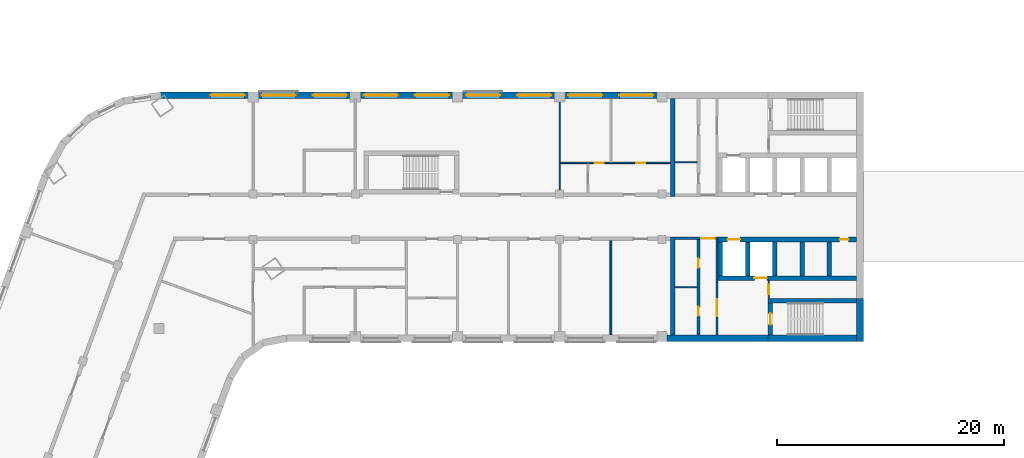
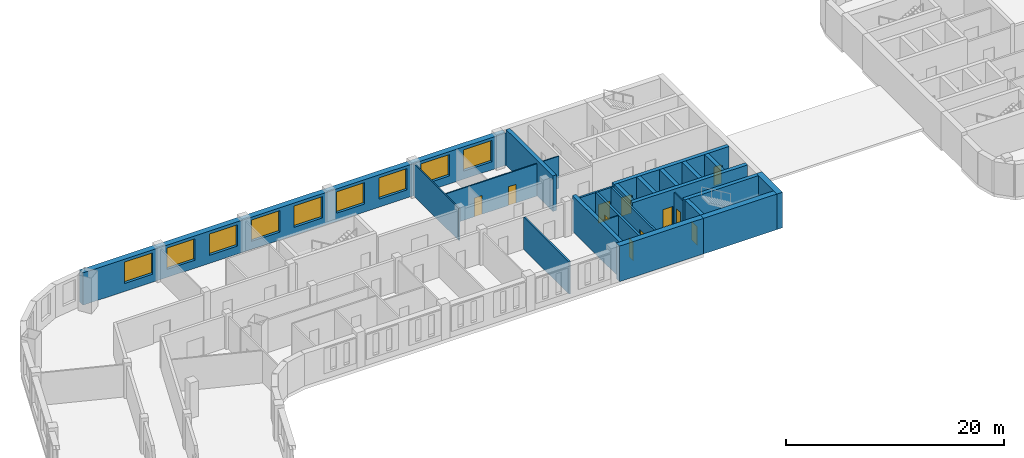
# One storey, part 5 of 12: 24 walls, 11 doors, 9 windows, 20 openings.
"""IFC4 building model written with IfcOpenShell, lengths in metres."""

from ifc_helpers import new_model, si_unit, direction, frame, frame_2d, origin, place, context, subcontext, project, spatial, rectangle, extrude, material, layer, layer_set, type_object, element, fill, save


model = new_model("IFC4")

# Units and contexts
model_context = context("Model", 3, precision=1e-05, world=origin(), true_north=direction((0.0, 1.0)))
body_context = subcontext(model_context, "Body", "Model", "MODEL_VIEW")
ifc_project = project(units=[si_unit("LENGTHUNIT", "METRE"), si_unit("AREAUNIT", "SQUARE_METRE"), si_unit("VOLUMEUNIT", "CUBIC_METRE"), si_unit("PLANEANGLEUNIT", "RADIAN"), si_unit("MASSUNIT", "GRAM", prefix="KILO")], contexts=[model_context])

# Site, building, storey
site_placement = place(None, origin())
site = spatial("IfcSite", under=ifc_project, at=site_placement, CompositionType="ELEMENT")
building_placement = place(site_placement, origin())
building = spatial("IfcBuilding", under=site, at=building_placement, Name="Skarvind Civic Tower", CompositionType="ELEMENT")
storey_placement = place(building_placement, frame((0.0, 0.0, 35.5)))
storey = spatial("IfcBuildingStorey", under=building, at=storey_placement, Name="L07", CompositionType="ELEMENT", Elevation=35.5)

# Wall
ifc_material_1 = material(Name="Acoustic gypsum board on steel studs", Category="steel")
ifc_layer_1 = layer(ifc_material_1, 0.175048828125)
ifc_layer_set_1 = layer_set([ifc_layer_1], Name="ACOUSTIC MEETING-ROOM PARTITION 175")
wall_type_1 = type_object("IfcWallType", Name="ACOUSTIC MEETING-ROOM PARTITION 175", PredefinedType="PARTITIONING", material=ifc_layer_set_1)
wall_1_placement = place(storey_placement, frame((85.75, 117.60009765625, 0.0), z_axis=(0.0, 0.0, 1.0), x_axis=(0.0, 1.0, 0.0)))
element("IfcWall", 1, at=wall_1_placement, inside=storey, type_object=wall_type_1, Name="Partition 07.029", PredefinedType="PARTITIONING", context=body_context, shape_type="SweptSolid", body=[
    extrude(rectangle(XDim=8.2998046875, YDim=0.175048828125, at=frame_2d((4.14990234375, 0.0))), origin(), (0.0, 0.0, 1.0), 3.625),
])

# Wall, opening, door
ifc_material_2 = material(Name="Fire-rated masonry partition", Category="masonry")
ifc_layer_2 = layer(ifc_material_2, 0.199951171875)
ifc_layer_set_2 = layer_set([ifc_layer_2], Name="Core enclosure wall 200")
wall_type_2 = type_object("IfcWallType", Name="Core enclosure wall 200", PredefinedType="PARTITIONING", material=ifc_layer_set_2)
wall_2_placement = place(storey_placement, frame((95.199951171875, 126.10009765625, 0.0), z_axis=(0.0, 0.0, 1.0), x_axis=(-1.0, 0.0, 0.0)))
wall_2 = element("IfcWall", 2, at=wall_2_placement, inside=storey, type_object=wall_type_2, Name="Core wall C1", PredefinedType="PARTITIONING", context=body_context, shape_type="SweptSolid", body=[
    extrude(rectangle(XDim=3.800048828125, YDim=0.199951171875, at=frame_2d((1.89990234375, 0.0))), origin(), (0.0, 0.0, 1.0), 3.625),
])
opening_1_placement = place(wall_2_placement, frame((0.300048828125, 0.0, 0.0)))
opening_1 = element("IfcOpeningElement", 3, at=opening_1_placement, cuts=wall_2, Name="Opening D-L07-C1-05", PredefinedType="OPENING", context=body_context, shape_type="SweptSolid", body=[
    extrude(rectangle(XDim=1.199951171875, YDim=2.10009765625, at=frame_2d((0.60009765625, 1.050048828125))), frame((0.0, 0.10986328125, 0.0), z_axis=(0.0, -1.0, 0.0), x_axis=(1.0, 0.0, 0.0)), (0.0, 0.0, 1.0), 0.219970703125),
])
ifc_material_3 = material(Name="Fire-rated steel door", Category="steel")
door_type_1 = type_object("IfcDoorType", Name="Core lobby door 1200", OperationType="NOTDEFINED", PredefinedType="DOOR", material=ifc_material_3)
door_1_placement = place(opening_1_placement, origin())
door_1 = element("IfcDoor", 4, at=door_1_placement, inside=storey, type_object=door_type_1, Name="Fire door", OperationType="DOUBLE_DOOR_SINGLE_SWING", OverallHeight=2.10009765625, OverallWidth=1.199951171875, PredefinedType="DOOR", context=body_context, shape_type="SweptSolid", body=[
    extrude(rectangle(XDim=1.199951171875, YDim=2.10009765625, at=frame_2d((0.60009765625, 1.050048828125))), frame((0.0, 0.02490234375, 0.0), z_axis=(0.0, -1.0, 0.0), x_axis=(1.0, 0.0, 0.0)), (0.0, 0.0, 1.0), 0.050048828125),
])
fill(opening_1, door_1)

wall_3_placement = place(storey_placement, frame((95.10009765625, 117.60009765625, 0.0), z_axis=(0.0, 0.0, 1.0), x_axis=(0.0, 1.0, 0.0)))
wall_3 = element("IfcWall", 5, at=wall_3_placement, inside=storey, type_object=wall_type_2, Name="Core wall C1", PredefinedType="PARTITIONING", context=body_context, shape_type="SweptSolid", body=[
    extrude(rectangle(XDim=8.39990234375, YDim=0.199951171875, at=frame_2d((4.199951171875, 0.0))), origin(), (0.0, 0.0, 1.0), 3.625),
])
opening_2_placement = place(wall_3_placement, frame((1.64990234375, 0.0, 0.0)))
opening_2 = element("IfcOpeningElement", 6, at=opening_2_placement, cuts=wall_3, Name="Opening D-L07-C1-06", PredefinedType="OPENING", context=body_context, shape_type="SweptSolid", body=[
    extrude(rectangle(XDim=1.5, YDim=2.10009765625, at=frame_2d((0.75, 1.050048828125))), frame((0.0, 0.10986328125, 0.0), z_axis=(0.0, -1.0, 0.0), x_axis=(1.0, 0.0, 0.0)), (0.0, 0.0, 1.0), 0.219970703125),
])
door_type_2 = type_object("IfcDoorType", Name="Fire door 1500", OperationType="NOTDEFINED", PredefinedType="DOOR", material=ifc_material_3)
door_2_placement = place(opening_2_placement, origin())
door_2 = element("IfcDoor", 7, at=door_2_placement, inside=storey, type_object=door_type_2, Name="Fire door", OperationType="DOUBLE_DOOR_SINGLE_SWING", OverallHeight=2.10009765625, OverallWidth=1.5, PredefinedType="DOOR", context=body_context, shape_type="SweptSolid", body=[
    extrude(rectangle(XDim=1.5, YDim=2.10009765625, at=frame_2d((0.75, 1.050048828125))), frame((0.0, 0.02490234375, 0.0), z_axis=(0.0, -1.0, 0.0), x_axis=(1.0, 0.0, 0.0)), (0.0, 0.0, 1.0), 0.050048828125),
])
fill(opening_2, door_2)

# Walls
ifc_material_4 = material(Name="Fire-rated plasterboard partition")
ifc_layer_3 = layer(ifc_material_4, 0.10009765625)
ifc_layer_set_3 = layer_set([ifc_layer_3], Name="Core partition wall 100")
wall_type_3 = type_object("IfcWallType", Name="Core partition wall 100", PredefinedType="PARTITIONING", material=ifc_layer_set_3)
for number, where, z_axis, x_axis, name in (
    (8, (93.35009765625, 121.800048828125, 0.0), (0.0, 0.0, 1.0), (-1.0, 0.0, 0.0), "Core wall C1"),
    (9, (91.39990234375, 132.800048828125, 0.0), (0.0, 0.0, 1.0), (1.0, 0.0, 0.0), "Core wall C1"),
):
    element("IfcWall", number, at=place(storey_placement, frame(where, z_axis=z_axis, x_axis=x_axis)), inside=storey, type_object=wall_type_3, Name=name, PredefinedType="PARTITIONING", context=body_context, shape_type="SweptSolid", body=[
        extrude(rectangle(XDim=1.9501953125, YDim=0.10009765625, at=frame_2d((0.97509765625, 0.0))), origin(), (0.0, 0.0, 1.0), 3.625),
    ])
ifc_material_5 = material(Name="Concrete C80", Category="concrete")
ifc_layer_4 = layer(ifc_material_5, 0.39990234375)
ifc_layer_set_4 = layer_set([ifc_layer_4], Name="Core wall 400 C80")
wall_type_4 = type_object("IfcWallType", Name="Core wall 400 C80", PredefinedType="SHEAR", material=ifc_layer_set_4)
wall_4_placement = place(storey_placement, frame((107.39990234375, 120.60009765625, 0.0), z_axis=(0.0, 0.0, 1.0), x_axis=(-1.0, 0.0, 0.0)))
element("IfcWall", 10, at=wall_4_placement, inside=storey, type_object=wall_type_4, Name="Core wall C1 north stair inner L07", PredefinedType="SHEAR", context=body_context, shape_type="SweptSolid", body=[
    extrude(rectangle(XDim=7.7998046875, YDim=0.39990234375, at=frame_2d((3.89990234375, 0.0))), origin(), (0.0, 0.0, 1.0), 4.0),
])

# Wall, opening, door
wall_5_placement = place(storey_placement, frame((99.800048828125, 120.39990234375, 0.0), z_axis=(0.0, 0.0, 1.0), x_axis=(0.0, -1.0, 0.0)))
wall_5 = element("IfcWall", 11, at=wall_5_placement, inside=storey, type_object=wall_type_4, Name="Core wall C1 north stair end L07", PredefinedType="SHEAR", context=body_context, shape_type="SweptSolid", body=[
    extrude(rectangle(XDim=2.7998046875, YDim=0.39990234375, at=frame_2d((1.39990234375, 0.0))), origin(), (0.0, 0.0, 1.0), 4.0),
])
opening_3_placement = place(wall_5_placement, frame((0.89990234375, 0.0, 0.0)))
opening_3 = element("IfcOpeningElement", 12, at=opening_3_placement, cuts=wall_5, Name="Opening D-L07-C1-07", PredefinedType="OPENING", context=body_context, shape_type="SweptSolid", body=[
    extrude(rectangle(XDim=1.0, YDim=2.10009765625, at=frame_2d((0.5, 1.050048828125))), frame((0.0, 0.2099609375, 0.0), z_axis=(0.0, -1.0, 0.0), x_axis=(1.0, 0.0, 0.0)), (0.0, 0.0, 1.0), 0.419921875),
])
door_type_3 = type_object("IfcDoorType", Name="Fire door 1000", OperationType="NOTDEFINED", PredefinedType="DOOR", material=ifc_material_3)
door_3_placement = place(opening_3_placement, origin())
door_3 = element("IfcDoor", 13, at=door_3_placement, inside=storey, type_object=door_type_3, Name="Fire door", OperationType="SINGLE_SWING_LEFT", OverallHeight=2.10009765625, OverallWidth=1.0, PredefinedType="DOOR", context=body_context, shape_type="SweptSolid", body=[
    extrude(rectangle(XDim=1.0, YDim=2.10009765625, at=frame_2d((0.5, 1.050048828125))), frame((0.0, 0.02490234375, 0.0), z_axis=(0.0, -1.0, 0.0), x_axis=(1.0, 0.0, 0.0)), (0.0, 0.0, 1.0), 0.050048828125),
])
fill(opening_3, door_3)

# Wall, openings, doors
wall_6_placement = place(storey_placement, frame((107.39990234375, 126.0, 0.0), z_axis=(0.0, 0.0, 1.0), x_axis=(-1.0, 0.0, 0.0)))
wall_6 = element("IfcWall", 14, at=wall_6_placement, inside=storey, type_object=wall_type_4, Name="Core wall C1 north lift row front L07", PredefinedType="SHEAR", context=body_context, shape_type="SweptSolid", body=[
    extrude(rectangle(XDim=12.199951171875, YDim=0.39990234375, at=frame_2d((6.10009765625, 0.0))), origin(), (0.0, 0.0, 1.0), 4.0),
])
opening_4_placement = place(wall_6_placement, frame((10.25, 0.0, 0.0)))
opening_4 = element("IfcOpeningElement", 15, at=opening_4_placement, cuts=wall_6, Name="Opening LD09105", PredefinedType="OPENING", context=body_context, shape_type="SweptSolid", body=[
    extrude(rectangle(XDim=1.10009765625, YDim=2.10009765625, at=frame_2d((0.550048828125, 1.050048828125))), frame((0.0, 0.2099609375, 0.0), z_axis=(0.0, -1.0, 0.0), x_axis=(1.0, 0.0, 0.0)), (0.0, 0.0, 1.0), 0.419921875),
])
opening_5_placement = place(wall_6_placement, frame((0.699951171875, 0.0, 0.0)))
opening_5 = element("IfcOpeningElement", 16, at=opening_5_placement, cuts=wall_6, Name="Opening D-L07-C1-04", PredefinedType="OPENING", context=body_context, shape_type="SweptSolid", body=[
    extrude(rectangle(XDim=0.800048828125, YDim=2.10009765625, at=frame_2d((0.39990234375, 1.050048828125))), frame((0.0, 0.2099609375, 0.0), z_axis=(0.0, -1.0, 0.0), x_axis=(1.0, 0.0, 0.0)), (0.0, 0.0, 1.0), 0.419921875),
])
door_type_4 = type_object("IfcDoorType", Name="Core riser door 800", OperationType="NOTDEFINED", PredefinedType="DOOR", material=ifc_material_3)
door_4_placement = place(opening_5_placement, origin())
door_4 = element("IfcDoor", 17, at=door_4_placement, inside=storey, type_object=door_type_4, Name="Riser door", OperationType="SINGLE_SWING_LEFT", OverallHeight=2.10009765625, OverallWidth=0.800048828125, PredefinedType="DOOR", context=body_context, shape_type="SweptSolid", body=[
    extrude(rectangle(XDim=0.800048828125, YDim=2.10009765625, at=frame_2d((0.39990234375, 1.050048828125))), frame((0.0, 0.02490234375, 0.0), z_axis=(0.0, -1.0, 0.0), x_axis=(1.0, 0.0, 0.0)), (0.0, 0.0, 1.0), 0.050048828125),
])
fill(opening_5, door_4)
ifc_material_6 = material(Name="Stainless steel landing door", Category="steel")
door_type_5 = type_object("IfcDoorType", Name="Lift landing door 1100", OperationType="DOUBLE_DOOR_SLIDING", PredefinedType="DOOR", material=ifc_material_6)
door_5_placement = place(opening_4_placement, origin())
door_5 = element("IfcDoor", 18, at=door_5_placement, inside=storey, type_object=door_type_5, Name="Lift landing door", OperationType="DOUBLE_DOOR_SLIDING", OverallHeight=2.10009765625, OverallWidth=1.10009765625, PredefinedType="DOOR", context=body_context, shape_type="SweptSolid", body=[
    extrude(rectangle(XDim=1.10009765625, YDim=2.10009765625, at=frame_2d((0.550048828125, 1.050048828125))), frame((0.0, 0.02490234375, 0.0), z_axis=(0.0, -1.0, 0.0), x_axis=(1.0, 0.0, 0.0)), (0.0, 0.0, 1.0), 0.050048828125),
])
fill(opening_4, door_5)

# Wall, opening, door
wall_7_placement = place(storey_placement, frame((107.39990234375, 122.60009765625, 0.0), z_axis=(0.0, 0.0, 1.0), x_axis=(-1.0, 0.0, 0.0)))
wall_7 = element("IfcWall", 19, at=wall_7_placement, inside=storey, type_object=wall_type_4, Name="Core wall C1 north lift row back L07", PredefinedType="SHEAR", context=body_context, shape_type="SweptSolid", body=[
    extrude(rectangle(XDim=12.199951171875, YDim=0.39990234375, at=frame_2d((6.10009765625, 0.0))), origin(), (0.0, 0.0, 1.0), 4.0),
])
opening_6_placement = place(wall_7_placement, frame((7.89990234375, 0.0, 0.0)))
opening_6 = element("IfcOpeningElement", 20, at=opening_6_placement, cuts=wall_7, Name="Opening LD09104", PredefinedType="OPENING", context=body_context, shape_type="SweptSolid", body=[
    extrude(rectangle(XDim=1.10009765625, YDim=2.10009765625, at=frame_2d((0.550048828125, 1.050048828125))), frame((0.0, 0.2099609375, 0.0), z_axis=(0.0, -1.0, 0.0), x_axis=(1.0, 0.0, 0.0)), (0.0, 0.0, 1.0), 0.419921875),
])
door_6_placement = place(opening_6_placement, origin())
door_6 = element("IfcDoor", 21, at=door_6_placement, inside=storey, type_object=door_type_5, Name="Lift landing door", OperationType="DOUBLE_DOOR_SLIDING", OverallHeight=2.10009765625, OverallWidth=1.10009765625, PredefinedType="DOOR", context=body_context, shape_type="SweptSolid", body=[
    extrude(rectangle(XDim=1.10009765625, YDim=2.10009765625, at=frame_2d((0.550048828125, 1.050048828125))), frame((0.0, 0.02490234375, 0.0), z_axis=(0.0, -1.0, 0.0), x_axis=(1.0, 0.0, 0.0)), (0.0, 0.0, 1.0), 0.050048828125),
])
fill(opening_6, door_6)

# Walls
for number, where, z_axis, x_axis, name in (
    (22, (105.0, 125.800048828125, 0.0), (0.0, 0.0, 1.0), (0.0, -1.0, 0.0), "Core wall C1 north lift row division 1 L07"),
    (23, (102.60009765625, 125.800048828125, 0.0), (0.0, 0.0, 1.0), (0.0, -1.0, 0.0), "Core wall C1 north lift row division 2 L07"),
    (24, (100.199951171875, 125.800048828125, 0.0), (0.0, 0.0, 1.0), (0.0, -1.0, 0.0), "Core wall C1 north lift row division 3 L07"),
    (25, (97.800048828125, 125.800048828125, 0.0), (0.0, 0.0, 1.0), (0.0, -1.0, 0.0), "Core wall C1 north lift row division 4 L07"),
    (26, (95.39990234375, 125.800048828125, 0.0), (0.0, 0.0, 1.0), (0.0, -1.0, 0.0), "Core wall C1 north lift row division 5 L07"),
):
    element("IfcWall", number, at=place(storey_placement, frame(where, z_axis=z_axis, x_axis=x_axis)), inside=storey, type_object=wall_type_4, Name=name, PredefinedType="SHEAR", context=body_context, shape_type="SweptSolid", body=[
        extrude(rectangle(XDim=3.0, YDim=0.39990234375, at=frame_2d((1.5, 0.0))), origin(), (0.0, 0.0, 1.0), 4.0),
    ])
for number, where, z_axis, x_axis, name in (
    (27, (91.199951171875, 138.39990234375, 0.0), (0.0, 0.0, 1.0), (0.0, -1.0, 0.0), "Core wall C1 south inner face L07"),
    (28, (91.199951171875, 126.199951171875, 0.0), (0.0, 0.0, 1.0), (0.0, -1.0, 0.0), "Core wall C1 north inner face L07"),
):
    element("IfcWall", number, at=place(storey_placement, frame(where, z_axis=z_axis, x_axis=x_axis)), inside=storey, type_object=wall_type_4, Name=name, PredefinedType="SHEAR", context=body_context, shape_type="SweptSolid", body=[
        extrude(rectangle(XDim=8.599853515625, YDim=0.39990234375, at=frame_2d((4.2998046875, 0.0))), origin(), (0.0, 0.0, 1.0), 4.0),
    ])
ifc_layer_5 = layer(ifc_material_5, 0.60009765625)
ifc_layer_set_5 = layer_set([ifc_layer_5], Name="Core wall 600 C80")
wall_type_5 = type_object("IfcWallType", Name="Core wall 600 C80", PredefinedType="SHEAR", material=ifc_layer_set_5)
wall_8_placement = place(storey_placement, frame((107.699951171875, 120.800048828125, 0.0), z_axis=(0.0, 0.0, 1.0), x_axis=(0.0, -1.0, 0.0)))
element("IfcWall", 29, at=wall_8_placement, inside=storey, type_object=wall_type_5, Name="Core wall C1 tip at the north stair L07", PredefinedType="SHEAR", context=body_context, shape_type="SweptSolid", body=[
    extrude(rectangle(XDim=3.800048828125, YDim=0.60009765625, at=frame_2d((1.89990234375, 0.0))), origin(), (0.0, 0.0, 1.0), 4.0),
])
wall_9_placement = place(storey_placement, frame((107.39990234375, 117.300048828125, 0.0), z_axis=(0.0, 0.0, 1.0), x_axis=(-1.0, 0.0, 0.0)))
element("IfcWall", 30, at=wall_9_placement, inside=storey, type_object=wall_type_5, Name="Core wall C1 north side at the stair L07", PredefinedType="SHEAR", context=body_context, shape_type="SweptSolid", body=[
    extrude(rectangle(XDim=7.7998046875, YDim=0.60009765625, at=frame_2d((3.89990234375, 0.0))), origin(), (0.0, 0.0, 1.0), 4.0),
])
wall_10_placement = place(storey_placement, frame((99.60009765625, 117.300048828125, 0.0), z_axis=(0.0, 0.0, 1.0), x_axis=(-1.0, 0.0, 0.0)))
element("IfcWall", 31, at=wall_10_placement, inside=storey, type_object=wall_type_5, Name="Core wall C1 north side L07", PredefinedType="SHEAR", context=body_context, shape_type="SweptSolid", body=[
    extrude(rectangle(XDim=8.900146484375, YDim=0.60009765625, at=frame_2d((4.4501953125, 0.0))), origin(), (0.0, 0.0, 1.0), 4.0),
])

# Wall, opening, door
ifc_layer_6 = layer(ifc_material_2, 0.125)
ifc_layer_set_6 = layer_set([ifc_layer_6], Name="Riser wall 125")
wall_type_6 = type_object("IfcWallType", Name="Riser wall 125", PredefinedType="PARTITIONING", material=ifc_layer_set_6)
wall_11_placement = place(storey_placement, frame((99.66259765625, 120.800048828125, 0.0), z_axis=(0.0, 0.0, 1.0), x_axis=(0.0, 1.0, 0.0)))
wall_11 = element("IfcWall", 32, at=wall_11_placement, inside=storey, type_object=wall_type_6, Name="Core wall C1", PredefinedType="PARTITIONING", context=body_context, shape_type="SweptSolid", body=[
    extrude(rectangle(XDim=1.599853515625, YDim=0.125, at=frame_2d((0.7998046875, 0.0))), origin(), (0.0, 0.0, 1.0), 3.625),
])
opening_7_placement = place(wall_11_placement, frame((0.39990234375, 0.0, 0.0)))
opening_7 = element("IfcOpeningElement", 33, at=opening_7_placement, cuts=wall_11, Name="Opening D-L07-C1-08", PredefinedType="OPENING", context=body_context, shape_type="SweptSolid", body=[
    extrude(rectangle(XDim=0.800048828125, YDim=2.10009765625, at=frame_2d((0.39990234375, 1.050048828125))), frame((0.0, 0.072509765625, 0.0), z_axis=(0.0, -1.0, 0.0), x_axis=(1.0, 0.0, 0.0)), (0.0, 0.0, 1.0), 0.14501953125),
])
door_7_placement = place(opening_7_placement, origin())
door_7 = element("IfcDoor", 34, at=door_7_placement, inside=storey, type_object=door_type_4, Name="Riser door", OperationType="SINGLE_SWING_RIGHT", OverallHeight=2.10009765625, OverallWidth=0.800048828125, PredefinedType="DOOR", context=body_context, shape_type="SweptSolid", body=[
    extrude(rectangle(XDim=0.800048828125, YDim=2.10009765625, at=frame_2d((0.39990234375, 1.050048828125))), frame((0.0, 0.02490234375, 0.0), z_axis=(0.0, -1.0, 0.0), x_axis=(1.0, 0.0, 0.0)), (0.0, 0.0, 1.0), 0.050048828125),
])
fill(opening_7, door_7)

# Wall, openings, doors
ifc_layer_7 = layer(ifc_material_2, 0.25)
ifc_layer_set_7 = layer_set([ifc_layer_7], Name="Service block wall 250")
wall_type_7 = type_object("IfcWallType", Name="Service block wall 250", PredefinedType="PARTITIONING", material=ifc_layer_set_7)
wall_12_placement = place(storey_placement, frame((93.47509765625, 117.60009765625, 0.0), z_axis=(0.0, 0.0, 1.0), x_axis=(0.0, 1.0, 0.0)))
wall_12 = element("IfcWall", 35, at=wall_12_placement, inside=storey, type_object=wall_type_7, Name="Core wall C1", PredefinedType="PARTITIONING", context=body_context, shape_type="SweptSolid", body=[
    extrude(rectangle(XDim=8.39990234375, YDim=0.25, at=frame_2d((4.199951171875, 0.0))), origin(), (0.0, 0.0, 1.0), 3.625),
])
opening_8_placement = place(wall_12_placement, frame((5.925048828125, 0.0, 0.0)))
opening_8 = element("IfcOpeningElement", 36, at=opening_8_placement, cuts=wall_12, Name="Opening D-L07-C1-09", PredefinedType="OPENING", context=body_context, shape_type="SweptSolid", body=[
    extrude(rectangle(XDim=0.800048828125, YDim=2.10009765625, at=frame_2d((0.39990234375, 1.050048828125))), frame((0.0, 0.135009765625, 0.0), z_axis=(0.0, -1.0, 0.0), x_axis=(1.0, 0.0, 0.0)), (0.0, 0.0, 1.0), 0.27001953125),
])
opening_9_placement = place(wall_12_placement, frame((1.675048828125, 0.0, 0.0)))
opening_9 = element("IfcOpeningElement", 37, at=opening_9_placement, cuts=wall_12, Name="Opening D-L07-C1-10", PredefinedType="OPENING", context=body_context, shape_type="SweptSolid", body=[
    extrude(rectangle(XDim=0.800048828125, YDim=2.10009765625, at=frame_2d((0.39990234375, 1.050048828125))), frame((0.0, 0.135009765625, 0.0), z_axis=(0.0, -1.0, 0.0), x_axis=(1.0, 0.0, 0.0)), (0.0, 0.0, 1.0), 0.27001953125),
])
door_8_placement = place(opening_8_placement, origin())
door_8 = element("IfcDoor", 38, at=door_8_placement, inside=storey, type_object=door_type_4, Name="Riser door", OperationType="SINGLE_SWING_LEFT", OverallHeight=2.10009765625, OverallWidth=0.800048828125, PredefinedType="DOOR", context=body_context, shape_type="SweptSolid", body=[
    extrude(rectangle(XDim=0.800048828125, YDim=2.10009765625, at=frame_2d((0.39990234375, 1.050048828125))), frame((0.0, 0.02490234375, 0.0), z_axis=(0.0, -1.0, 0.0), x_axis=(1.0, 0.0, 0.0)), (0.0, 0.0, 1.0), 0.050048828125),
])
fill(opening_8, door_8)
door_9_placement = place(opening_9_placement, origin())
door_9 = element("IfcDoor", 39, at=door_9_placement, inside=storey, type_object=door_type_4, Name="Riser door", OperationType="SINGLE_SWING_RIGHT", OverallHeight=2.10009765625, OverallWidth=0.800048828125, PredefinedType="DOOR", context=body_context, shape_type="SweptSolid", body=[
    extrude(rectangle(XDim=0.800048828125, YDim=2.10009765625, at=frame_2d((0.39990234375, 1.050048828125))), frame((0.0, 0.02490234375, 0.0), z_axis=(0.0, -1.0, 0.0), x_axis=(1.0, 0.0, 0.0)), (0.0, 0.0, 1.0), 0.050048828125),
])
fill(opening_9, door_9)

# Wall
ifc_material_7 = material(Name="Moisture-resistant gypsum board on steel studs", Category="steel")
ifc_layer_8 = layer(ifc_material_7, 0.125)
ifc_layer_set_8 = layer_set([ifc_layer_8], Name="WC PARTITION 125")
wall_type_8 = type_object("IfcWallType", Name="WC PARTITION 125", PredefinedType="PARTITIONING", material=ifc_layer_set_8)
wall_13_placement = place(storey_placement, frame((81.25, 130.10009765625, 0.0), z_axis=(0.0, 0.0, 1.0), x_axis=(0.0, 1.0, 0.0)))
element("IfcWall", 40, at=wall_13_placement, inside=storey, type_object=wall_type_8, Name="Partition 07.026", PredefinedType="PARTITIONING", context=body_context, shape_type="SweptSolid", body=[
    extrude(rectangle(XDim=8.2998046875, YDim=0.125, at=frame_2d((4.14990234375, 0.0))), origin(), (0.0, 0.0, 1.0), 3.625),
])

# Wall, openings, doors
wall_14_placement = place(storey_placement, frame((81.31201171875, 132.75, 0.0), z_axis=(0.0, 0.0, 1.0), x_axis=(1.0, 0.0, 0.0)))
wall_14 = element("IfcWall", 41, at=wall_14_placement, inside=storey, type_object=wall_type_8, Name="Partition 07.027", PredefinedType="PARTITIONING", context=body_context, shape_type="SweptSolid", body=[
    extrude(rectangle(XDim=9.68798828125, YDim=0.125, at=frame_2d((4.843994140625, 0.0))), origin(), (0.0, 0.0, 1.0), 3.625),
])
opening_10_placement = place(wall_14_placement, frame((6.6630859375, 0.0, 0.0)))
opening_10 = element("IfcOpeningElement", 42, at=opening_10_placement, cuts=wall_14, Name="Opening L07-D003", PredefinedType="OPENING", context=body_context, shape_type="SweptSolid", body=[
    extrude(rectangle(XDim=0.800048828125, YDim=2.10009765625, at=frame_2d((0.39990234375, 1.050048828125))), frame((0.0, 0.072509765625, 0.0), z_axis=(0.0, -1.0, 0.0), x_axis=(1.0, 0.0, 0.0)), (0.0, 0.0, 1.0), 0.14501953125),
])
opening_11_placement = place(wall_14_placement, frame((3.03662109375, 0.0, 0.0)))
opening_11 = element("IfcOpeningElement", 43, at=opening_11_placement, cuts=wall_14, Name="Opening L07-D004", PredefinedType="OPENING", context=body_context, shape_type="SweptSolid", body=[
    extrude(rectangle(XDim=0.800048828125, YDim=2.10009765625, at=frame_2d((0.39990234375, 1.050048828125))), frame((0.0, 0.072509765625, 0.0), z_axis=(0.0, -1.0, 0.0), x_axis=(1.0, 0.0, 0.0)), (0.0, 0.0, 1.0), 0.14501953125),
])
ifc_material_8 = material(Name="Timber door leaf", Category="wood")
door_type_6 = type_object("IfcDoorType", Name="DOOR 800X2100 TIMBER", OperationType="NOTDEFINED", PredefinedType="DOOR", material=ifc_material_8)
door_10_placement = place(opening_10_placement, origin())
door_10 = element("IfcDoor", 44, at=door_10_placement, inside=storey, type_object=door_type_6, Name="Door L07-D003", OperationType="SINGLE_SWING_RIGHT", OverallHeight=2.10009765625, OverallWidth=0.800048828125, PredefinedType="DOOR", context=body_context, shape_type="SweptSolid", body=[
    extrude(rectangle(XDim=0.800048828125, YDim=2.10009765625, at=frame_2d((0.39990234375, 1.050048828125))), frame((0.0, 0.02490234375, 0.0), z_axis=(0.0, -1.0, 0.0), x_axis=(1.0, 0.0, 0.0)), (0.0, 0.0, 1.0), 0.050048828125),
])
fill(opening_10, door_10)
door_11_placement = place(opening_11_placement, origin())
door_11 = element("IfcDoor", 45, at=door_11_placement, inside=storey, type_object=door_type_6, Name="Door L07-D004", OperationType="SINGLE_SWING_LEFT", OverallHeight=2.10009765625, OverallWidth=0.800048828125, PredefinedType="DOOR", context=body_context, shape_type="SweptSolid", body=[
    extrude(rectangle(XDim=0.800048828125, YDim=2.10009765625, at=frame_2d((0.39990234375, 1.050048828125))), frame((0.0, 0.02490234375, 0.0), z_axis=(0.0, -1.0, 0.0), x_axis=(1.0, 0.0, 0.0)), (0.0, 0.0, 1.0), 0.050048828125),
])
fill(opening_11, door_11)

# Wall, openings, windows
ifc_material_9 = material(Name="Limestone masonry cladding on insulated backing", Category="masonry")
ifc_layer_9 = layer(ifc_material_9, 0.60009765625)
ifc_layer_set_9 = layer_set([ifc_layer_9], Name="WX1 STONE FACADE WALL 600")
wall_type_9 = type_object("IfcWallType", Name="WX1 STONE FACADE WALL 600", PredefinedType="SOLIDWALL", material=ifc_layer_set_9)
wall_15_placement = place(storey_placement, frame((46.095458984375, 138.699951171875, 0.0), z_axis=(0.0, 0.0, 1.0), x_axis=(1.0, 0.0, 0.0)))
wall_15 = element("IfcWall", 46, at=wall_15_placement, inside=storey, type_object=wall_type_9, Name="STONE FACADE WALL", PredefinedType="SOLIDWALL", context=body_context, shape_type="SweptSolid", body=[
    extrude(rectangle(XDim=44.884521484375, YDim=0.60009765625, at=frame_2d((22.4423828125, 0.0))), origin(), (0.0, 0.0, 1.0), 3.625),
])
opening_12_placement = place(wall_15_placement, frame((4.404541015625, 0.0, 0.89990234375)))
opening_12 = element("IfcOpeningElement", 47, at=opening_12_placement, cuts=wall_15, Name="Opening WN1", PredefinedType="OPENING", context=body_context, shape_type="SweptSolid", body=[
    extrude(rectangle(XDim=3.0, YDim=2.39990234375, at=frame_2d((1.5, 1.199951171875))), frame((0.0, 0.31005859375, 0.0), z_axis=(0.0, -1.0, 0.0), x_axis=(1.0, 0.0, 0.0)), (0.0, 0.0, 1.0), 0.6201171875),
])
opening_13_placement = place(wall_15_placement, frame((8.904541015625, 0.0, 0.89990234375)))
opening_13 = element("IfcOpeningElement", 48, at=opening_13_placement, cuts=wall_15, Name="Opening WN1", PredefinedType="OPENING", context=body_context, shape_type="SweptSolid", body=[
    extrude(rectangle(XDim=3.0, YDim=2.39990234375, at=frame_2d((1.5, 1.199951171875))), frame((0.0, 0.31005859375, 0.0), z_axis=(0.0, -1.0, 0.0), x_axis=(1.0, 0.0, 0.0)), (0.0, 0.0, 1.0), 0.6201171875),
])
opening_14_placement = place(wall_15_placement, frame((13.404541015625, 0.0, 0.89990234375)))
opening_14 = element("IfcOpeningElement", 49, at=opening_14_placement, cuts=wall_15, Name="Opening WN1", PredefinedType="OPENING", context=body_context, shape_type="SweptSolid", body=[
    extrude(rectangle(XDim=3.0, YDim=2.39990234375, at=frame_2d((1.5, 1.199951171875))), frame((0.0, 0.31005859375, 0.0), z_axis=(0.0, -1.0, 0.0), x_axis=(1.0, 0.0, 0.0)), (0.0, 0.0, 1.0), 0.6201171875),
])
opening_15_placement = place(wall_15_placement, frame((17.904541015625, 0.0, 0.89990234375)))
opening_15 = element("IfcOpeningElement", 50, at=opening_15_placement, cuts=wall_15, Name="Opening WN1", PredefinedType="OPENING", context=body_context, shape_type="SweptSolid", body=[
    extrude(rectangle(XDim=3.0, YDim=2.39990234375, at=frame_2d((1.5, 1.199951171875))), frame((0.0, 0.31005859375, 0.0), z_axis=(0.0, -1.0, 0.0), x_axis=(1.0, 0.0, 0.0)), (0.0, 0.0, 1.0), 0.6201171875),
])
opening_16_placement = place(wall_15_placement, frame((22.404541015625, 0.0, 0.89990234375)))
opening_16 = element("IfcOpeningElement", 51, at=opening_16_placement, cuts=wall_15, Name="Opening WN1", PredefinedType="OPENING", context=body_context, shape_type="SweptSolid", body=[
    extrude(rectangle(XDim=3.0, YDim=2.39990234375, at=frame_2d((1.5, 1.199951171875))), frame((0.0, 0.31005859375, 0.0), z_axis=(0.0, -1.0, 0.0), x_axis=(1.0, 0.0, 0.0)), (0.0, 0.0, 1.0), 0.6201171875),
])
opening_17_placement = place(wall_15_placement, frame((26.904541015625, 0.0, 0.89990234375)))
opening_17 = element("IfcOpeningElement", 52, at=opening_17_placement, cuts=wall_15, Name="Opening WN1", PredefinedType="OPENING", context=body_context, shape_type="SweptSolid", body=[
    extrude(rectangle(XDim=3.0, YDim=2.39990234375, at=frame_2d((1.5, 1.199951171875))), frame((0.0, 0.31005859375, 0.0), z_axis=(0.0, -1.0, 0.0), x_axis=(1.0, 0.0, 0.0)), (0.0, 0.0, 1.0), 0.6201171875),
])
opening_18_placement = place(wall_15_placement, frame((31.404541015625, 0.0, 0.89990234375)))
opening_18 = element("IfcOpeningElement", 53, at=opening_18_placement, cuts=wall_15, Name="Opening WN1", PredefinedType="OPENING", context=body_context, shape_type="SweptSolid", body=[
    extrude(rectangle(XDim=3.0, YDim=2.39990234375, at=frame_2d((1.5, 1.199951171875))), frame((0.0, 0.31005859375, 0.0), z_axis=(0.0, -1.0, 0.0), x_axis=(1.0, 0.0, 0.0)), (0.0, 0.0, 1.0), 0.6201171875),
])
opening_19_placement = place(wall_15_placement, frame((35.904541015625, 0.0, 0.89990234375)))
opening_19 = element("IfcOpeningElement", 54, at=opening_19_placement, cuts=wall_15, Name="Opening WN1", PredefinedType="OPENING", context=body_context, shape_type="SweptSolid", body=[
    extrude(rectangle(XDim=3.0, YDim=2.39990234375, at=frame_2d((1.5, 1.199951171875))), frame((0.0, 0.31005859375, 0.0), z_axis=(0.0, -1.0, 0.0), x_axis=(1.0, 0.0, 0.0)), (0.0, 0.0, 1.0), 0.6201171875),
])
opening_20_placement = place(wall_15_placement, frame((40.404541015625, 0.0, 0.89990234375)))
opening_20 = element("IfcOpeningElement", 55, at=opening_20_placement, cuts=wall_15, Name="Opening WN1", PredefinedType="OPENING", context=body_context, shape_type="SweptSolid", body=[
    extrude(rectangle(XDim=3.0, YDim=2.39990234375, at=frame_2d((1.5, 1.199951171875))), frame((0.0, 0.31005859375, 0.0), z_axis=(0.0, -1.0, 0.0), x_axis=(1.0, 0.0, 0.0)), (0.0, 0.0, 1.0), 0.6201171875),
])
ifc_material_10 = material(Name="Timber frame, double glazing, timber-lined reveal", Category="wood")
window_type = type_object("IfcWindowType", Name="WN1 PUNCHED STONE WINDOW 3000 x 2400", PartitioningType="SINGLE_PANEL", PredefinedType="WINDOW", material=ifc_material_10)
window_1_placement = place(opening_12_placement, origin())
window_1 = element("IfcWindow", 56, at=window_1_placement, inside=storey, type_object=window_type, Name="WN1 WINDOW", OverallHeight=2.39990234375, OverallWidth=3.0, PartitioningType="SINGLE_PANEL", PredefinedType="WINDOW", context=body_context, shape_type="SweptSolid", body=[
    extrude(rectangle(XDim=3.0, YDim=2.39990234375, at=frame_2d((1.5, 1.199951171875))), frame((0.0, 0.030029296875, 0.0), z_axis=(0.0, -1.0, 0.0), x_axis=(1.0, 0.0, 0.0)), (0.0, 0.0, 1.0), 0.06005859375),
])
fill(opening_12, window_1)
window_2_placement = place(opening_13_placement, origin())
window_2 = element("IfcWindow", 57, at=window_2_placement, inside=storey, type_object=window_type, Name="WN1 WINDOW", OverallHeight=2.39990234375, OverallWidth=3.0, PartitioningType="SINGLE_PANEL", PredefinedType="WINDOW", context=body_context, shape_type="SweptSolid", body=[
    extrude(rectangle(XDim=3.0, YDim=2.39990234375, at=frame_2d((1.5, 1.199951171875))), frame((0.0, 0.030029296875, 0.0), z_axis=(0.0, -1.0, 0.0), x_axis=(1.0, 0.0, 0.0)), (0.0, 0.0, 1.0), 0.06005859375),
])
fill(opening_13, window_2)
window_3_placement = place(opening_14_placement, origin())
window_3 = element("IfcWindow", 58, at=window_3_placement, inside=storey, type_object=window_type, Name="WN1 WINDOW", OverallHeight=2.39990234375, OverallWidth=3.0, PartitioningType="SINGLE_PANEL", PredefinedType="WINDOW", context=body_context, shape_type="SweptSolid", body=[
    extrude(rectangle(XDim=3.0, YDim=2.39990234375, at=frame_2d((1.5, 1.199951171875))), frame((0.0, 0.030029296875, 0.0), z_axis=(0.0, -1.0, 0.0), x_axis=(1.0, 0.0, 0.0)), (0.0, 0.0, 1.0), 0.06005859375),
])
fill(opening_14, window_3)
window_4_placement = place(opening_15_placement, origin())
window_4 = element("IfcWindow", 59, at=window_4_placement, inside=storey, type_object=window_type, Name="WN1 WINDOW", OverallHeight=2.39990234375, OverallWidth=3.0, PartitioningType="SINGLE_PANEL", PredefinedType="WINDOW", context=body_context, shape_type="SweptSolid", body=[
    extrude(rectangle(XDim=3.0, YDim=2.39990234375, at=frame_2d((1.5, 1.199951171875))), frame((0.0, 0.030029296875, 0.0), z_axis=(0.0, -1.0, 0.0), x_axis=(1.0, 0.0, 0.0)), (0.0, 0.0, 1.0), 0.06005859375),
])
fill(opening_15, window_4)
window_5_placement = place(opening_16_placement, origin())
window_5 = element("IfcWindow", 60, at=window_5_placement, inside=storey, type_object=window_type, Name="WN1 WINDOW", OverallHeight=2.39990234375, OverallWidth=3.0, PartitioningType="SINGLE_PANEL", PredefinedType="WINDOW", context=body_context, shape_type="SweptSolid", body=[
    extrude(rectangle(XDim=3.0, YDim=2.39990234375, at=frame_2d((1.5, 1.199951171875))), frame((0.0, 0.030029296875, 0.0), z_axis=(0.0, -1.0, 0.0), x_axis=(1.0, 0.0, 0.0)), (0.0, 0.0, 1.0), 0.06005859375),
])
fill(opening_16, window_5)
window_6_placement = place(opening_17_placement, origin())
window_6 = element("IfcWindow", 61, at=window_6_placement, inside=storey, type_object=window_type, Name="WN1 WINDOW", OverallHeight=2.39990234375, OverallWidth=3.0, PartitioningType="SINGLE_PANEL", PredefinedType="WINDOW", context=body_context, shape_type="SweptSolid", body=[
    extrude(rectangle(XDim=3.0, YDim=2.39990234375, at=frame_2d((1.5, 1.199951171875))), frame((0.0, 0.030029296875, 0.0), z_axis=(0.0, -1.0, 0.0), x_axis=(1.0, 0.0, 0.0)), (0.0, 0.0, 1.0), 0.06005859375),
])
fill(opening_17, window_6)
window_7_placement = place(opening_18_placement, origin())
window_7 = element("IfcWindow", 62, at=window_7_placement, inside=storey, type_object=window_type, Name="WN1 WINDOW", OverallHeight=2.39990234375, OverallWidth=3.0, PartitioningType="SINGLE_PANEL", PredefinedType="WINDOW", context=body_context, shape_type="SweptSolid", body=[
    extrude(rectangle(XDim=3.0, YDim=2.39990234375, at=frame_2d((1.5, 1.199951171875))), frame((0.0, 0.030029296875, 0.0), z_axis=(0.0, -1.0, 0.0), x_axis=(1.0, 0.0, 0.0)), (0.0, 0.0, 1.0), 0.06005859375),
])
fill(opening_18, window_7)
window_8_placement = place(opening_19_placement, origin())
window_8 = element("IfcWindow", 63, at=window_8_placement, inside=storey, type_object=window_type, Name="WN1 WINDOW", OverallHeight=2.39990234375, OverallWidth=3.0, PartitioningType="SINGLE_PANEL", PredefinedType="WINDOW", context=body_context, shape_type="SweptSolid", body=[
    extrude(rectangle(XDim=3.0, YDim=2.39990234375, at=frame_2d((1.5, 1.199951171875))), frame((0.0, 0.030029296875, 0.0), z_axis=(0.0, -1.0, 0.0), x_axis=(1.0, 0.0, 0.0)), (0.0, 0.0, 1.0), 0.06005859375),
])
fill(opening_19, window_8)
window_9_placement = place(opening_20_placement, origin())
window_9 = element("IfcWindow", 64, at=window_9_placement, inside=storey, type_object=window_type, Name="WN1 WINDOW", OverallHeight=2.39990234375, OverallWidth=3.0, PartitioningType="SINGLE_PANEL", PredefinedType="WINDOW", context=body_context, shape_type="SweptSolid", body=[
    extrude(rectangle(XDim=3.0, YDim=2.39990234375, at=frame_2d((1.5, 1.199951171875))), frame((0.0, 0.030029296875, 0.0), z_axis=(0.0, -1.0, 0.0), x_axis=(1.0, 0.0, 0.0)), (0.0, 0.0, 1.0), 0.06005859375),
])
fill(opening_20, window_9)

save(model, "model.ifc")
